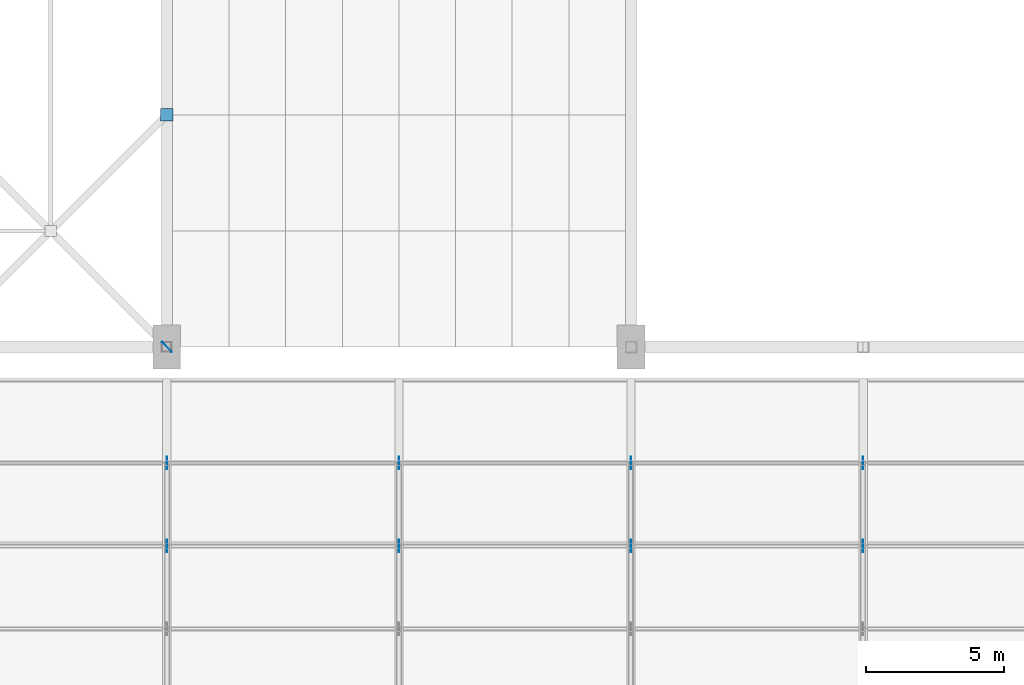
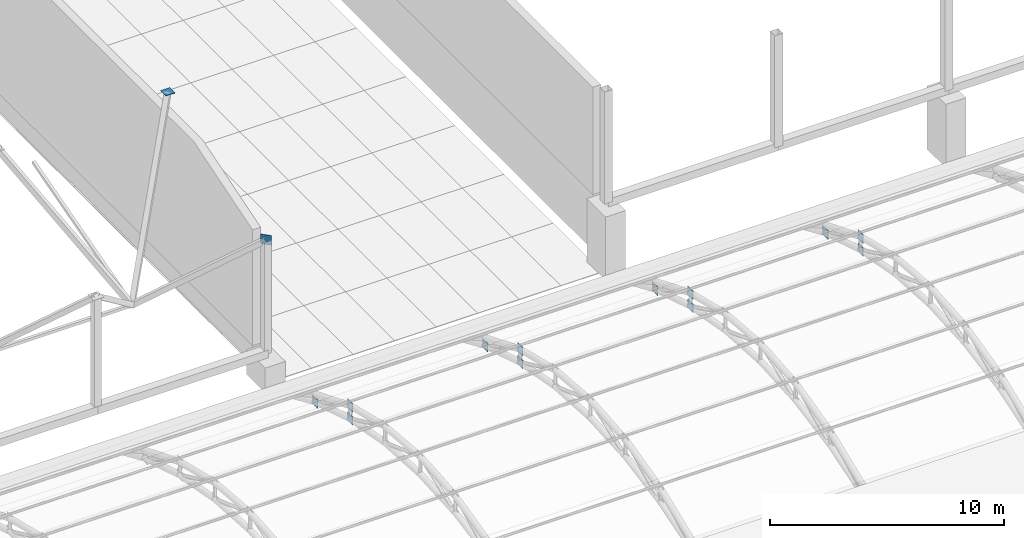
# One storey, part 138 of 163: 14 discrete accessories.
"""IFC4 building model written with IfcOpenShell, lengths in metres."""

from ifc_helpers import new_model, si_unit, direction, frame, origin, origin_2d, place, context, subcontext, project, spatial, rectangle, extrude, material, layer, layer_set, type_object, element, save


model = new_model("IFC4")

# Units and contexts
model_context = context("Model", 3, precision=1e-05, world=origin(), true_north=direction((0.0, 1.0)))
body_context = subcontext(model_context, "Body", "Model", "MODEL_VIEW")
ifc_project = project(units=[si_unit("LENGTHUNIT", "METRE"), si_unit("AREAUNIT", "SQUARE_METRE"), si_unit("VOLUMEUNIT", "CUBIC_METRE"), si_unit("PLANEANGLEUNIT", "RADIAN"), si_unit("MASSUNIT", "GRAM", prefix="KILO")], contexts=[model_context])

# Site, building, storey
site_placement = place(None, origin())
site = spatial("IfcSite", under=ifc_project, at=site_placement, CompositionType="ELEMENT")
building_placement = place(site_placement, origin())
building = spatial("IfcBuilding", under=site, at=building_placement, Name="Rain Tree Exposition and Congress Centre", CompositionType="ELEMENT")
storey_placement = place(building_placement, frame((0.0, 0.0, 10.5)))
storey = spatial("IfcBuildingStorey", under=building, at=storey_placement, Name="L02", CompositionType="ELEMENT", Elevation=10.5)

# Discrete accessories
ifc_material_1 = material(Name="Steel plate S355J2", Category="steel")
ifc_layer_1 = layer(ifc_material_1, 0.02001953125)
ifc_layer_set_1 = layer_set([ifc_layer_1], Name="Steel plate S355J2")
discrete_accessory_type_1 = type_object("IfcDiscreteAccessoryType", Name="Brace node plate 450x450x20", PredefinedType="BRACKET", material=ifc_layer_set_1)
discrete_accessory_1_placement = place(storey_placement, frame((126.0, 109.199951171875, 9.956787109375), z_axis=(0.0, 0.0, 1.0), x_axis=(1.0, 0.0, 0.0)))
element("IfcDiscreteAccessory", 1, at=discrete_accessory_1_placement, inside=storey, type_object=discrete_accessory_type_1, Name="Brace node plate 450", PredefinedType="BRACKET", context=body_context, shape_type="SweptSolid", body=[
    extrude(rectangle(XDim=0.449951171875, YDim=0.449951171875, at=origin_2d()), origin(), (0.0, 0.0, 1.0), 0.02001953125),
])
for number, where, z_axis, x_axis, name in (
    (2, (126.0, 93.60009765625, 2.15478515625), (0.0, 0.0, 1.0), (0.0, -1.0, 0.0), "Brace node plate 450"),
    (3, (126.0, 96.60009765625, 1.21728515625), (0.0, 0.0, 1.0), (0.0, -1.0, 0.0), "Brace node plate 450"),
    (4, (126.0, 93.60009765625, 2.830078125), (0.0, 0.0, 1.0), (0.0, 1.0, 0.0), "Brace node plate 450"),
    (5, (134.39990234375, 93.60009765625, 2.15478515625), (0.0, 0.0, 1.0), (0.0, -1.0, 0.0), "Brace node plate 450"),
    (6, (134.39990234375, 96.60009765625, 1.21728515625), (0.0, 0.0, 1.0), (0.0, -1.0, 0.0), "Brace node plate 450"),
    (7, (134.39990234375, 93.60009765625, 2.830078125), (0.0, 0.0, 1.0), (0.0, 1.0, 0.0), "Brace node plate 450"),
    (8, (142.800048828125, 93.60009765625, 2.15478515625), (0.0, 0.0, 1.0), (0.0, -1.0, 0.0), "Brace node plate 450"),
    (9, (142.800048828125, 96.60009765625, 1.21728515625), (0.0, 0.0, 1.0), (0.0, -1.0, 0.0), "Brace node plate 450"),
    (10, (142.800048828125, 93.60009765625, 2.830078125), (0.0, 0.0, 1.0), (0.0, 1.0, 0.0), "Brace node plate 450"),
    (11, (151.199951171875, 93.60009765625, 2.15478515625), (0.0, 0.0, 1.0), (0.0, -1.0, 0.0), "Brace node plate 450"),
    (12, (151.199951171875, 96.60009765625, 1.21728515625), (0.0, 0.0, 1.0), (0.0, -1.0, 0.0), "Brace node plate 450"),
    (13, (151.199951171875, 93.60009765625, 2.830078125), (0.0, 0.0, 1.0), (0.0, 1.0, 0.0), "Brace node plate 450"),
):
    element("IfcDiscreteAccessory", number, at=place(storey_placement, frame(where, z_axis=z_axis, x_axis=x_axis)), inside=storey, type_object=discrete_accessory_type_1, Name=name, PredefinedType="BRACKET", context=body_context, shape_type="SweptSolid", body=[
        extrude(rectangle(XDim=0.449951171875, YDim=0.02001953125, at=origin_2d()), origin(), (0.0, 0.0, 1.0), 0.449951171875),
    ])
ifc_material_2 = material(Name="Steel plate S355J2", Category="steel")
ifc_layer_2 = layer(ifc_material_2, 0.02001953125)
ifc_layer_set_2 = layer_set([ifc_layer_2], Name="Steel plate S355J2")
discrete_accessory_type_2 = type_object("IfcDiscreteAccessoryType", Name="Brace node plate 500x500x20", PredefinedType="BRACKET", material=ifc_layer_set_2)
discrete_accessory_2_placement = place(storey_placement, frame((126.0, 100.800048828125, 7.10009765625), z_axis=(0.0, 0.0, 1.0), x_axis=(-0.707106781187, 0.707106781187, 0.0)))
element("IfcDiscreteAccessory", 14, at=discrete_accessory_2_placement, inside=storey, type_object=discrete_accessory_type_2, Name="Brace node plate 500", PredefinedType="BRACKET", context=body_context, shape_type="SweptSolid", body=[
    extrude(rectangle(XDim=0.5, YDim=0.02001953125, at=origin_2d()), origin(), (0.0, 0.0, 1.0), 0.5),
])

save(model, "model.ifc")
